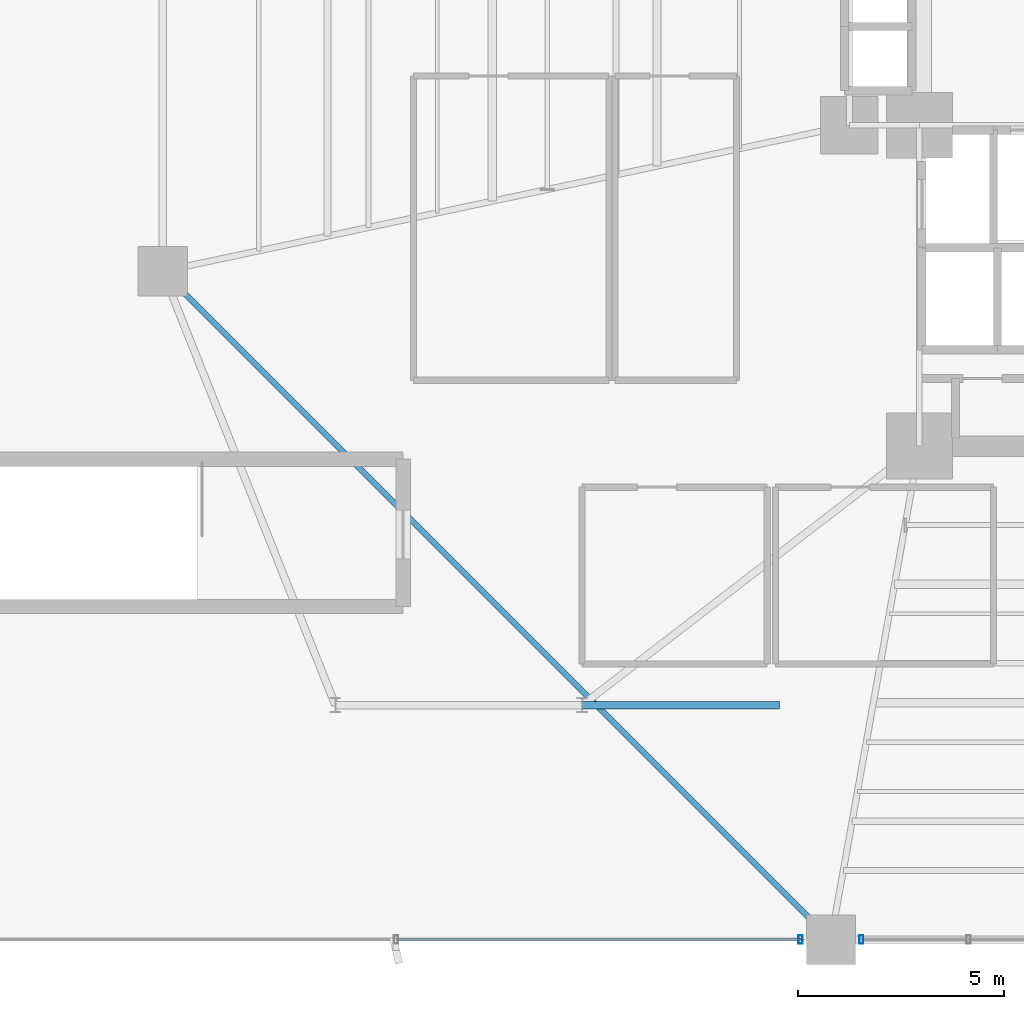
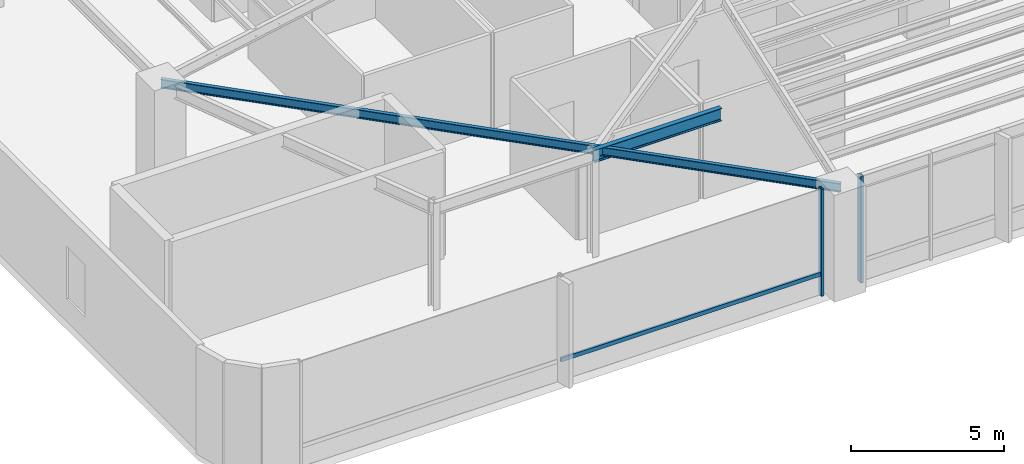
# One storey, part 6 of 26: 3 members, 2 beams, 2 elements without a shape of their own.
"""IFC4 building model written with IfcOpenShell, lengths in metres."""

from ifc_helpers import new_model, si_unit, direction, frame, origin, origin_2d, place, context, subcontext, project, spatial, hollow_rectangle, i_section, extrude, source, transform, mapped, material, material_profile, profile_set, type_object, element, aggregate, save


model = new_model("IFC4")

# Units and contexts
model_context = context("Model", 3, precision=1e-05, world=origin(), true_north=direction((0.0, 1.0)))
body_context = subcontext(model_context, "Body", "Model", "MODEL_VIEW")
ifc_project = project(units=[si_unit("LENGTHUNIT", "METRE"), si_unit("AREAUNIT", "SQUARE_METRE"), si_unit("VOLUMEUNIT", "CUBIC_METRE"), si_unit("PLANEANGLEUNIT", "RADIAN"), si_unit("MASSUNIT", "GRAM", prefix="KILO")], contexts=[model_context])

# Site, building, storey
site_placement = place(None, origin())
site = spatial("IfcSite", under=ifc_project, at=site_placement, CompositionType="ELEMENT")
building_placement = place(site_placement, origin())
building = spatial("IfcBuilding", under=site, at=building_placement, Name="Sahyath Konkavel Grand Hotel", CompositionType="ELEMENT")
storey_placement = place(building_placement, frame((0.0, 0.0, 18.60009765625)))
storey = spatial("IfcBuildingStorey", under=building, at=storey_placement, Name="L04", CompositionType="ELEMENT", Elevation=18.60009765625)

# Beams
ifc_material_1 = material(Name="Steel E350", Category="steel")
ifc_material_profile_1 = material_profile(ifc_material_1, i_section(OverallWidth=0.179931640625, OverallDepth=0.5, WebThickness=0.01025390625, FlangeThickness=0.01708984375, FilletRadius=0.01708984375, at=origin_2d()), Name="ISMB 500")
ifc_profile_set_1 = profile_set([ifc_material_profile_1], Name="Steel E350")
beam_type_1 = type_object("IfcBeamType", Name="BM-ISMB500", PredefinedType="BEAM", material=ifc_profile_set_1)
shared_shape_1 = source(origin(), body_context, "Body", "SweptSolid", [
    extrude(i_section(OverallWidth=0.179931640625, OverallDepth=0.5, WebThickness=0.01025390625, FlangeThickness=0.01708984375, FilletRadius=0.01708984375, at=origin_2d()), origin(), (0.0, 0.0, 1.0), 4.800048828125),
])
beam_1_placement = place(storey_placement, frame((-12.0, -16.5, 3.949951171875), z_axis=(1.0, 0.0, 0.0), x_axis=(0.0, 1.0, 0.0)))
element("IfcBeam", 1, at=beam_1_placement, inside=storey, type_object=beam_type_1, Name="str:bm:L04:POD34-06", PredefinedType="BEAM", context=body_context, shape_type="MappedRepresentation", body=[
    mapped(shared_shape_1, transform((0.0, 0.0, 0.0), scale=1.0)),
])
ifc_material_profile_2 = material_profile(ifc_material_1, i_section(OverallWidth=0.139892578125, OverallDepth=0.35009765625, WebThickness=0.008056640625, FlangeThickness=0.01416015625, FilletRadius=0.013916015625, at=origin_2d()), Name="ISMB 350")
ifc_profile_set_2 = profile_set([ifc_material_profile_2], Name="Steel E350")
beam_type_2 = type_object("IfcBeamType", Name="BM-ISMB350", PredefinedType="BEAM", material=ifc_profile_set_2)
shared_shape_2 = source(origin(), body_context, "Body", "SweptSolid", [
    extrude(i_section(OverallWidth=0.139892578125, OverallDepth=0.35009765625, WebThickness=0.008056640625, FlangeThickness=0.01416015625, FilletRadius=0.013916015625, at=origin_2d()), origin(), (0.0, 0.0, 1.0), 22.98095703125),
])
beam_2_placement = place(storey_placement, frame((-22.199951171875, -5.949951171875, 4.02490234375), z_axis=(0.707106781187, -0.707106781187, 0.0), x_axis=(0.707106781187, 0.707106781187, 0.0)))
element("IfcBeam", 2, at=beam_2_placement, inside=storey, type_object=beam_type_2, Name="L04 Re-Entrant Tie Beam SW", PredefinedType="BEAM", context=body_context, shape_type="MappedRepresentation", body=[
    mapped(shared_shape_2, transform((0.0, 0.0, 0.0), scale=1.0)),
])

# Curtain wall, member
ifc_material_2 = material(Name="Anodised Bronze Aluminium & Low-E Glazing", Category="aluminium")
curtain_wall_type = type_object("IfcCurtainWallType", Name="CW-PODIUM", PredefinedType="NOTDEFINED", material=ifc_material_2)
curtain_wall_1_placement = place(storey_placement, origin())
curtain_wall_1 = element("IfcCurtainWall", 3, at=curtain_wall_1_placement, inside=storey, type_object=curtain_wall_type, Name="L04 Unitised Curtain Wall S1", PredefinedType="NOTDEFINED")
ifc_material_3 = material(Name="Anodised Bronze Aluminium", Category="aluminium")
ifc_material_profile_3 = material_profile(ifc_material_3, hollow_rectangle(XDim=0.10009765625, YDim=0.199951171875, WallThickness=0.008056640625, at=origin_2d()), Name="RHS 200x100x8")
ifc_profile_set_3 = profile_set([ifc_material_profile_3], Name="Anodised Bronze Aluminium")
member_type_1 = type_object("IfcMemberType", Name="CW-MUL-200", PredefinedType="MULLION", material=ifc_profile_set_3)
shared_shape_3 = source(origin(), body_context, "Body", "SweptSolid", [
    extrude(hollow_rectangle(XDim=0.10009765625, YDim=0.199951171875, WallThickness=0.008056640625, at=origin_2d()), origin(), (0.0, 0.0, 1.0), 4.260009765625),
])
member_1_placement = place(storey_placement, frame((-6.68994140625, -22.199951171875, 0.0), z_axis=(0.0, 0.0, 1.0), x_axis=(1.0, 0.0, 0.0)))
member_1 = element("IfcMember", 4, at=member_1_placement, type_object=member_type_1, Name="L04 Curtain Wall Mullion S1-2", PredefinedType="MULLION", context=body_context, shape_type="MappedRepresentation", body=[
    mapped(shared_shape_3, transform((0.0, 0.0, 0.0), scale=1.0)),
])

curtain_wall_2_placement = place(storey_placement, origin())
curtain_wall_2 = element("IfcCurtainWall", 5, at=curtain_wall_2_placement, inside=storey, type_object=curtain_wall_type, Name="L04 Unitised Curtain Wall S2", PredefinedType="NOTDEFINED")
member_2_placement = place(storey_placement, frame((-5.2099609375, -22.199951171875, 0.0), z_axis=(0.0, 0.0, 1.0), x_axis=(1.0, 0.0, 0.0)))
member_2 = element("IfcMember", 6, at=member_2_placement, type_object=member_type_1, Name="L04 Curtain Wall Mullion S2-0", PredefinedType="MULLION", context=body_context, shape_type="MappedRepresentation", body=[
    mapped(shared_shape_3, transform((0.0, 0.0, 0.0), scale=1.0)),
])
aggregate(curtain_wall_2, [member_2])

# Member
ifc_material_profile_4 = material_profile(ifc_material_3, hollow_rectangle(XDim=0.080078125, YDim=0.159912109375, WallThickness=0.006103515625, at=origin_2d()), Name="RHS 160x80x6")
ifc_profile_set_4 = profile_set([ifc_material_profile_4], Name="Anodised Bronze Aluminium")
member_type_2 = type_object("IfcMemberType", Name="CW-TRN-160", PredefinedType="USERDEFINED", material=ifc_profile_set_4)
shared_shape_4 = source(origin(), body_context, "Body", "SweptSolid", [
    extrude(hollow_rectangle(XDim=0.080078125, YDim=0.159912109375, WallThickness=0.006103515625, at=origin_2d()), origin(), (0.0, 0.0, 1.0), 9.8349609375),
])
member_3_placement = place(storey_placement, frame((-16.52490234375, -22.199951171875, 0.849853515625), z_axis=(1.0, 0.0, 0.0), x_axis=(0.0, 1.0, 0.0)))
member_3 = element("IfcMember", 7, at=member_3_placement, type_object=member_type_2, Name="L04 Curtain Wall Transom S1-1-spandrel", ObjectType="TRANSOM", PredefinedType="USERDEFINED", context=body_context, shape_type="MappedRepresentation", body=[
    mapped(shared_shape_4, transform((0.0, 0.0, 0.0), scale=1.0)),
])

aggregate(curtain_wall_1, [member_1, member_3])

save(model, "model.ifc")
